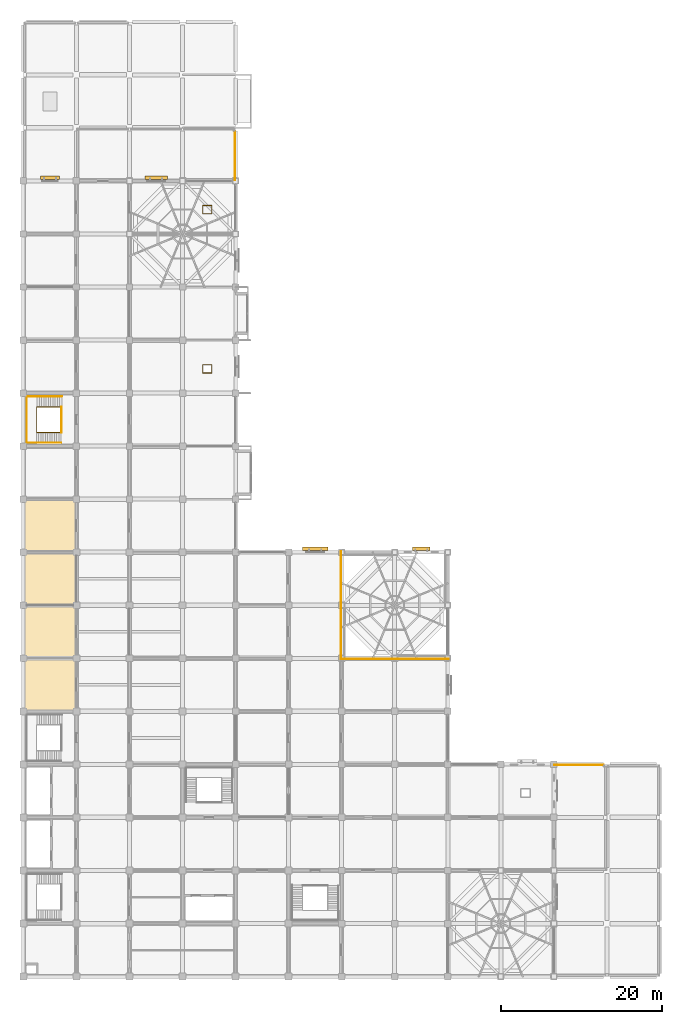
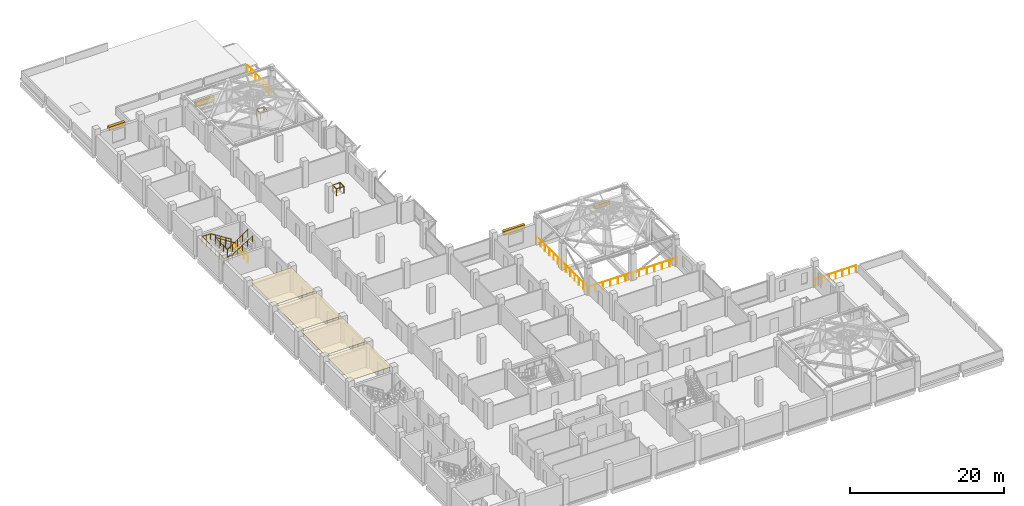
# One storey, part 25 of 25: 11 railings, 4 coverings, 4 shading devices.
"""IFC4 building model written with IfcOpenShell, lengths in metres."""

import ifcopenshell
import ifcopenshell.guid

model = None  # the IFC model being written
_history = None  # IfcOwnerHistory: only IFC2X3 demands one
_inside = {}  # id of a spatial element -> (the spatial element, [elements in it])
_under = {}  # id of a project, library or spatial element -> (it, [spatial elements below it])
_declared = {}  # id of a project -> (the project, [libraries it declares])
_typed = {}  # id of a type object -> (the type object, [elements of that type])
_made_of = {}  # id of a material, layer set ... -> (it, [elements and type objects made of it])


def new_model(schema):
    """Start an empty IFC model of exactly this schema.

    Asked for "IFC4X3", IfcOpenShell would pick the latest addendum, in which some entities
    have other attributes; the version numbers below select the first issue.
    IFC2X3 requires an IfcOwnerHistory on every rooted entity: one is made here for all.
    """
    global model, _history
    if schema == "IFC4X3":
        model = ifcopenshell.file(schema_version=(4, 3, 0, 0))
    else:
        model = ifcopenshell.file(schema=schema)
    _inside.clear()
    _under.clear()
    _declared.clear()
    _typed.clear()
    _made_of.clear()
    _history = None
    if model.schema == "IFC2X3":
        org = make("IfcOrganization", Name="unknown")
        user = make(
            "IfcPersonAndOrganization",
            ThePerson=make("IfcPerson", FamilyName="unknown"),
            TheOrganization=org,
        )
        app = make(
            "IfcApplication",
            ApplicationDeveloper=org,
            Version="unknown",
            ApplicationFullName="unknown",
            ApplicationIdentifier="unknown",
        )
        _history = make(
            "IfcOwnerHistory",
            OwningUser=user,
            OwningApplication=app,
            ChangeAction="ADDED",
            CreationDate=0,
        )
    return model


def make(cls, **values):
    """One entity of the class cls with the attributes given. An attribute that is None is left unset."""
    return model.create_entity(
        cls, **{name: value for name, value in values.items() if value is not None}
    )


def rooted(cls, **values):
    """An entity with a GlobalId (a new one), such as an element, a storey or a relation."""
    return make(cls, GlobalId=ifcopenshell.guid.new(), OwnerHistory=_history, **values)


def si_unit(unit_type, name, prefix=None):
    """IfcSIUnit, for example si_unit("LENGTHUNIT", "METRE", prefix="MILLI")."""
    return make("IfcSIUnit", UnitType=unit_type, Prefix=prefix, Name=name)


def assignment(units):
    """IfcUnitAssignment: the units of a project."""
    return None if units is None else make("IfcUnitAssignment", Units=units)


def point(xyz):
    """IfcCartesianPoint."""
    return None if xyz is None else make("IfcCartesianPoint", Coordinates=xyz)


def direction(xyz):
    """IfcDirection."""
    return None if xyz is None else make("IfcDirection", DirectionRatios=xyz)


def frame(location, z_axis=None, x_axis=None):
    """IfcAxis2Placement3D, a coordinate frame: its origin and axes. An axis left out is left unset."""
    return make(
        "IfcAxis2Placement3D",
        Location=point(location),
        Axis=direction(z_axis),
        RefDirection=direction(x_axis),
    )


def frame_2d(location, x_axis=None):
    """IfcAxis2Placement2D, a coordinate frame in the plane: its origin and x axis."""
    return make(
        "IfcAxis2Placement2D", Location=point(location), RefDirection=direction(x_axis)
    )


def origin():
    """The frame at (0, 0, 0) with its axes left unset."""
    return frame((0.0, 0.0, 0.0))


def origin_2d():
    """The frame at (0, 0) in the plane with its x axis left unset."""
    return frame_2d((0.0, 0.0))


def place(relative_to, where):
    """IfcLocalPlacement: puts the frame where relative to a parent placement (None: the world)."""
    return make(
        "IfcLocalPlacement", PlacementRelTo=relative_to, RelativePlacement=where
    )


def context(
    kind, dimensions, precision=None, world=None, true_north=None, identifier=None
):
    """IfcGeometricRepresentationContext, for example the 3D "Model" context."""
    return make(
        "IfcGeometricRepresentationContext",
        ContextIdentifier=identifier,
        ContextType=kind,
        CoordinateSpaceDimension=dimensions,
        Precision=precision,
        WorldCoordinateSystem=world,
        TrueNorth=true_north,
    )


def subcontext(parent, identifier, kind, view, scale=None):
    """IfcGeometricRepresentationSubContext, for example "Body" below "Model"."""
    return make(
        "IfcGeometricRepresentationSubContext",
        ContextIdentifier=identifier,
        ContextType=kind,
        ParentContext=parent,
        TargetScale=scale,
        TargetView=view,
    )


def project(units=None, contexts=None):
    """IfcProject with its units and contexts."""
    return rooted(
        "IfcProject",
        Name="project",
        RepresentationContexts=contexts,
        UnitsInContext=assignment(units),
    )


def spatial(cls, under=None, at=None, **own):
    """A site, building, storey or space (cls), placed at a placement, below another one or the project."""
    s = rooted(cls, ObjectPlacement=at, **own)
    if under is not None:
        _under.setdefault(under.id(), (under, []))[1].append(s)
    return s


def polyline(points):
    """IfcPolyline through the points."""
    return make("IfcPolyline", Points=[point(p) for p in points])


def profile(cls, at=None, kind="AREA", **sizes):
    """A parametric profile (cls). Its sizes go by their IFC names, for example OverallWidth=200.0."""
    return make(cls, ProfileType=kind, Position=at, **sizes)


def rectangle(**sizes):
    """IfcRectangleProfileDef."""
    return profile("IfcRectangleProfileDef", **sizes)


def circle(**sizes):
    """IfcCircleProfileDef."""
    return profile("IfcCircleProfileDef", **sizes)


def outline(outer, holes=None, kind="AREA"):
    """IfcArbitraryClosedProfileDef: a profile drawn as a closed curve; with holes, ...WithVoids."""
    if holes is None:
        return make("IfcArbitraryClosedProfileDef", ProfileType=kind, OuterCurve=outer)
    return make(
        "IfcArbitraryProfileDefWithVoids",
        ProfileType=kind,
        OuterCurve=outer,
        InnerCurves=holes,
    )


def extrude(swept, where, along, depth):
    """IfcExtrudedAreaSolid: the profile swept, set in the frame where, extruded along a direction by depth."""
    return make(
        "IfcExtrudedAreaSolid",
        SweptArea=swept,
        Position=where,
        ExtrudedDirection=direction(along),
        Depth=depth,
    )


def shape(context_of_items, identifier, shape_type, items):
    """IfcShapeRepresentation: the items that make up one representation, for example the "Body"."""
    return make(
        "IfcShapeRepresentation",
        ContextOfItems=context_of_items,
        RepresentationIdentifier=identifier,
        RepresentationType=shape_type,
        Items=items,
    )


def material(Name=None, Category=None):
    """IfcMaterial."""
    return make("IfcMaterial", Name=Name, Category=Category)


def layer(
    of_material, thickness, ventilated=None, Name=None, Category=None, Priority=None
):
    """IfcMaterialLayer: one layer of a wall or slab, of a material (None: an air gap)."""
    return make(
        "IfcMaterialLayer",
        Material=of_material,
        LayerThickness=thickness,
        IsVentilated=ventilated,
        Name=Name,
        Category=Category,
        Priority=Priority,
    )


def layer_set(layers, Name=None):
    """IfcMaterialLayerSet."""
    return make("IfcMaterialLayerSet", MaterialLayers=layers, LayerSetName=Name)


def made_of(thing, what):
    """Note that an element or type object is made of a material, layer set ...; save() writes the relation."""
    if what is not None:
        _made_of.setdefault(what.id(), (what, []))[1].append(thing)
    return thing


def type_object(cls, material=None, **own):
    """A type object (cls), such as IfcWallType, which elements share."""
    return made_of(rooted(cls, **own), material)


def element(
    cls,
    number,
    at=None,
    inside=None,
    cuts=None,
    type_object=None,
    material=None,
    context=None,
    identifier="Body",
    shape_type=None,
    held_by="IfcProductDefinitionShape",
    body=None,
    shapes=None,
    **own,
):
    """One element of the class cls, such as IfcWall. Its Tag is "e" and its number.

    at: its placement. inside: the storey or other place that contains it. cuts: it is an
    opening in that element (IfcRelVoidsElement). A single representation is given by context,
    identifier, shape_type and body (its items); several are given by shapes. held_by: the class
    of the entity that holds the representations. save() writes the other relations.
    """
    e = rooted(cls, Tag="e%d" % number, ObjectPlacement=at, **own)
    if body is not None:
        shapes = [shape(context, identifier, shape_type, body)]
    if shapes is not None:
        e.Representation = make(held_by, Representations=shapes)
    if inside is not None:
        _inside.setdefault(inside.id(), (inside, []))[1].append(e)
    if cuts is not None:
        rooted(
            "IfcRelVoidsElement", RelatingBuildingElement=cuts, RelatedOpeningElement=e
        )
    if type_object is not None:
        _typed.setdefault(type_object.id(), (type_object, []))[1].append(e)
    return made_of(e, material)


def aggregate(whole, parts):
    """IfcRelAggregates: a whole, such as a stair, and the parts it consists of."""
    return rooted("IfcRelAggregates", RelatingObject=whole, RelatedObjects=parts)


def save(model, path):
    """Write the relations noted so far, then the file.

    IfcRelAggregates (storeys below a building ...), IfcRelContainedInSpatialStructure (elements
    in a storey), IfcRelDefinesByType, IfcRelAssociatesMaterial and IfcRelDeclares: one each for
    every whole, place, type object, material and project.
    """
    for whole, parts in _under.values():
        aggregate(whole, parts)
    for where, things in _inside.values():
        rooted(
            "IfcRelContainedInSpatialStructure",
            RelatedElements=things,
            RelatingStructure=where,
        )
    for kind, things in _typed.values():
        rooted("IfcRelDefinesByType", RelatedObjects=things, RelatingType=kind)
    for what, things in _made_of.values():
        rooted("IfcRelAssociatesMaterial", RelatedObjects=things, RelatingMaterial=what)
    for by, libraries in _declared.values():
        rooted("IfcRelDeclares", RelatingContext=by, RelatedDefinitions=libraries)
    model.write(path)


model = new_model("IFC4")

# Units and contexts
model_context = context("Model", 3, precision=1e-05, world=origin(), true_north=direction((0.0, 1.0)))
body_context = subcontext(model_context, "Body", "Model", "MODEL_VIEW")
ifc_project = project(units=[si_unit("LENGTHUNIT", "METRE"), si_unit("AREAUNIT", "SQUARE_METRE"), si_unit("VOLUMEUNIT", "CUBIC_METRE"), si_unit("PLANEANGLEUNIT", "RADIAN"), si_unit("MASSUNIT", "GRAM", prefix="KILO")], contexts=[model_context])

# Site, building, storey
site_placement = place(None, origin())
site = spatial("IfcSite", under=ifc_project, at=site_placement, CompositionType="ELEMENT")
building_placement = place(site_placement, origin())
building = spatial("IfcBuilding", under=site, at=building_placement, Name="Rusizi Kubbe Research Institute", CompositionType="ELEMENT")
storey_placement = place(building_placement, frame((0.0, 0.0, 14.39990234375)))
storey = spatial("IfcBuildingStorey", under=building, at=storey_placement, Name="L03", CompositionType="ELEMENT", Elevation=14.39990234375)

# Coverings
ifc_material_1 = material(Name="Flush Cleanroom Aluminium HEPA Ceiling Grid", Category="aluminium")
ifc_layer = layer(ifc_material_1, 0.044921875)
ifc_layer_set = layer_set([ifc_layer], Name="Flush Cleanroom Aluminium HEPA Ceiling Grid")
covering_type = type_object("IfcCoveringType", Name="CL-HEPA", PredefinedType="CEILING", material=ifc_layer_set)
covering_1_placement = place(storey_placement, frame((0.0, 0.0, 3.815185546875)))
element("IfcCovering", 1, at=covering_1_placement, inside=storey, type_object=covering_type, Name="Clean Room Gowning Airlock Ceiling L03-ALK-05", PredefinedType="CEILING", context=body_context, shape_type="SweptSolid", body=[
    extrude(outline(polyline([(0.18994140625, 33.18994140625), (6.409912109375, 33.18994140625), (6.409912109375, 39.409912109375), (0.18994140625, 39.409912109375), (0.18994140625, 33.18994140625)])), origin(), (0.0, 0.0, 1.0), 0.044921875),
])
covering_2_placement = place(storey_placement, frame((0.0, 0.0, 3.815185546875)))
element("IfcCovering", 2, at=covering_2_placement, inside=storey, type_object=covering_type, Name="ISO-6 Clean Room Suite Ceiling L03-CR-06", PredefinedType="CEILING", context=body_context, shape_type="SweptSolid", body=[
    extrude(outline(polyline([(0.18994140625, 39.7900390625), (6.409912109375, 39.7900390625), (6.409912109375, 46.010009765625), (0.18994140625, 46.010009765625), (0.18994140625, 39.7900390625)])), origin(), (0.0, 0.0, 1.0), 0.044921875),
])
covering_3_placement = place(storey_placement, frame((0.0, 0.0, 3.815185546875)))
element("IfcCovering", 3, at=covering_3_placement, inside=storey, type_object=covering_type, Name="Clean Room Gowning Airlock Ceiling L03-ALK-07", PredefinedType="CEILING", context=body_context, shape_type="SweptSolid", body=[
    extrude(outline(polyline([(0.18994140625, 46.389892578125), (6.409912109375, 46.389892578125), (6.409912109375, 52.610107421875), (0.18994140625, 52.610107421875), (0.18994140625, 46.389892578125)])), origin(), (0.0, 0.0, 1.0), 0.044921875),
])
covering_4_placement = place(storey_placement, frame((0.0, 0.0, 3.815185546875)))
element("IfcCovering", 4, at=covering_4_placement, inside=storey, type_object=covering_type, Name="ISO-6 Clean Room Suite Ceiling L03-CR-08", PredefinedType="CEILING", context=body_context, shape_type="SweptSolid", body=[
    extrude(outline(polyline([(0.18994140625, 52.989990234375), (6.409912109375, 52.989990234375), (6.409912109375, 59.2099609375), (0.18994140625, 59.2099609375), (0.18994140625, 52.989990234375)])), origin(), (0.0, 0.0, 1.0), 0.044921875),
])

# Railings
ifc_material_2 = material(Name="Architectural Painted Steel Balustrade", Category="steel")
railing_type_1 = type_object("IfcRailingType", Name="GR-EXT", PredefinedType="GUARDRAIL", material=ifc_material_2)
railing_1_placement = place(storey_placement, frame((26.320068359375, 99.080078125, 0.0)))
element("IfcRailing", 5, at=railing_1_placement, inside=storey, type_object=railing_type_1, Name="Roof Terrace Guard L03-01", PredefinedType="GUARDRAIL", context=body_context, shape_type="SweptSolid", body=[
    extrude(circle(Radius=0.02392578125, at=origin_2d()), frame((0.0, 0.0, 1.09619140625), z_axis=(0.0, 1.0, 0.0), x_axis=(-1.0, 0.0, 0.0)), (0.0, 0.0, 1.0), 6.099853515625),
    extrude(circle(Radius=0.02099609375, at=origin_2d()), origin(), (0.0, 0.0, 1.0), 1.072021484375),
    extrude(circle(Radius=0.02099609375, at=origin_2d()), frame((0.0, 1.0166015625, 0.0)), (0.0, 0.0, 1.0), 1.072021484375),
    extrude(circle(Radius=0.02099609375, at=origin_2d()), frame((0.0, 2.033203125, 0.0)), (0.0, 0.0, 1.0), 1.072021484375),
    extrude(circle(Radius=0.02099609375, at=origin_2d()), frame((0.0, 3.0498046875, 0.0)), (0.0, 0.0, 1.0), 1.072021484375),
    extrude(circle(Radius=0.02099609375, at=origin_2d()), frame((0.0, 4.066650390625, 0.0)), (0.0, 0.0, 1.0), 1.072021484375),
    extrude(circle(Radius=0.02099609375, at=origin_2d()), frame((0.0, 5.083251953125, 0.0)), (0.0, 0.0, 1.0), 1.072021484375),
    extrude(circle(Radius=0.02099609375, at=origin_2d()), frame((0.0, 6.099853515625, 0.0)), (0.0, 0.0, 1.0), 1.072021484375),
])
railing_2_placement = place(storey_placement, frame((66.080078125, 26.320068359375, 0.0)))
element("IfcRailing", 6, at=railing_2_placement, inside=storey, type_object=railing_type_1, Name="Roof Terrace Guard L03-02", PredefinedType="GUARDRAIL", context=body_context, shape_type="SweptSolid", body=[
    extrude(circle(Radius=0.02392578125, at=origin_2d()), frame((0.0, 0.0, 1.09619140625), z_axis=(1.0, 0.0, 0.0), x_axis=(0.0, 1.0, 0.0)), (0.0, 0.0, 1.0), 6.099853515625),
    extrude(circle(Radius=0.02099609375, at=origin_2d()), origin(), (0.0, 0.0, 1.0), 1.072021484375),
    extrude(circle(Radius=0.02099609375, at=origin_2d()), frame((1.0166015625, 0.0, 0.0)), (0.0, 0.0, 1.0), 1.072021484375),
    extrude(circle(Radius=0.02099609375, at=origin_2d()), frame((2.033203125, 0.0, 0.0)), (0.0, 0.0, 1.0), 1.072021484375),
    extrude(circle(Radius=0.02099609375, at=origin_2d()), frame((3.0498046875, 0.0, 0.0)), (0.0, 0.0, 1.0), 1.072021484375),
    extrude(circle(Radius=0.02099609375, at=origin_2d()), frame((4.066650390625, 0.0, 0.0)), (0.0, 0.0, 1.0), 1.072021484375),
    extrude(circle(Radius=0.02099609375, at=origin_2d()), frame((5.083251953125, 0.0, 0.0)), (0.0, 0.0, 1.0), 1.072021484375),
    extrude(circle(Radius=0.02099609375, at=origin_2d()), frame((6.099853515625, 0.0, 0.0)), (0.0, 0.0, 1.0), 1.072021484375),
])
ifc_material_3 = material(Name="Painted Steel Stair Guard", Category="steel")
railing_type_2 = type_object("IfcRailingType", Name="GR-STAIR", PredefinedType="GUARDRAIL", material=ifc_material_3)
railing_3_placement = place(storey_placement, frame((4.780029296875, 70.889892578125, 0.087646484375)))
element("IfcRailing", 7, at=railing_3_placement, inside=storey, type_object=railing_type_2, Name="Stair Inner Well Guard ST5 L03", PredefinedType="GUARDRAIL", context=body_context, shape_type="SweptSolid", body=[
    extrude(circle(Radius=0.02392578125, at=origin_2d()), frame((0.0, 0.0, 1.09619140625), z_axis=(-0.840361383606, 0.0, 0.542026516828), x_axis=(0.0, -1.0, 0.0)), (0.0, 0.0, 1.0), 3.712890625),
    extrude(circle(Radius=0.02392578125, at=origin_2d()), frame((-3.1201171875, 0.0, 3.1083984375), z_axis=(0.0, -1.0, 0.0), x_axis=(1.0, 0.0, 0.0)), (0.0, 0.0, 1.0), 3.179931640625),
    extrude(circle(Radius=0.02392578125, at=origin_2d()), frame((-3.1201171875, -3.179931640625, 3.1083984375), z_axis=(0.82276741766, 0.0, 0.568378198419), x_axis=(0.0, 1.0, 0.0)), (0.0, 0.0, 1.0), 3.69482421875),
    extrude(circle(Radius=0.02099609375, at=origin_2d()), origin(), (0.0, 0.0, 1.0), 1.072021484375),
    extrude(circle(Radius=0.02099609375, at=origin_2d()), frame((-0.780029296875, 0.0, 0.503173828125)), (0.0, 0.0, 1.0), 1.072021484375),
    extrude(circle(Radius=0.02099609375, at=origin_2d()), frame((-1.56005859375, 0.0, 1.00634765625)), (0.0, 0.0, 1.0), 1.072021484375),
    extrude(circle(Radius=0.02099609375, at=origin_2d()), frame((-2.340087890625, 0.0, 1.50927734375)), (0.0, 0.0, 1.0), 1.072021484375),
    extrude(circle(Radius=0.02099609375, at=origin_2d()), frame((-3.1201171875, 0.0, 2.012451171875)), (0.0, 0.0, 1.0), 1.072021484375),
    extrude(circle(Radius=0.02099609375, at=origin_2d()), frame((-3.1201171875, -1.06005859375, 2.012451171875)), (0.0, 0.0, 1.0), 1.072021484375),
    extrude(circle(Radius=0.02099609375, at=origin_2d()), frame((-3.1201171875, -2.119873046875, 2.012451171875)), (0.0, 0.0, 1.0), 1.072021484375),
    extrude(circle(Radius=0.02099609375, at=origin_2d()), frame((-3.1201171875, -3.179931640625, 2.012451171875)), (0.0, 0.0, 1.0), 1.072021484375),
    extrude(circle(Radius=0.02099609375, at=origin_2d()), frame((-2.360107421875, -3.179931640625, 2.53759765625)), (0.0, 0.0, 1.0), 1.072021484375),
    extrude(circle(Radius=0.02099609375, at=origin_2d()), frame((-1.60009765625, -3.179931640625, 3.0625)), (0.0, 0.0, 1.0), 1.072021484375),
    extrude(circle(Radius=0.02099609375, at=origin_2d()), frame((-0.840087890625, -3.179931640625, 3.58740234375)), (0.0, 0.0, 1.0), 1.072021484375),
    extrude(circle(Radius=0.02099609375, at=origin_2d()), frame((-0.080078125, -3.179931640625, 4.112548828125)), (0.0, 0.0, 1.0), 1.072021484375),
])
railing_4_placement = place(storey_placement, frame((4.75, 70.889892578125, 0.0)))
element("IfcRailing", 8, at=railing_4_placement, inside=storey, type_object=railing_type_2, Name="Stair Floor Edge Guard ST5 L03", PredefinedType="GUARDRAIL", context=body_context, shape_type="SweptSolid", body=[
    extrude(circle(Radius=0.02392578125, at=origin_2d()), frame((0.0, 0.0, 1.09619140625), z_axis=(0.0, -1.0, 0.0), x_axis=(1.0, 0.0, 0.0)), (0.0, 0.0, 1.0), 3.179931640625),
    extrude(circle(Radius=0.02099609375, at=origin_2d()), origin(), (0.0, 0.0, 1.0), 1.072021484375),
    extrude(circle(Radius=0.02099609375, at=origin_2d()), frame((0.0, -1.06005859375, 0.0)), (0.0, 0.0, 1.0), 1.072021484375),
    extrude(circle(Radius=0.02099609375, at=origin_2d()), frame((0.0, -2.119873046875, 0.0)), (0.0, 0.0, 1.0), 1.072021484375),
    extrude(circle(Radius=0.02099609375, at=origin_2d()), frame((0.0, -3.179931640625, 0.0)), (0.0, 0.0, 1.0), 1.072021484375),
])
railing_5_placement = place(storey_placement, frame((22.320068359375, 75.1201171875, 0.0)))
element("IfcRailing", 9, at=railing_5_placement, inside=storey, type_object=railing_type_2, Name="Service Riser Guard L03 NORTHA", PredefinedType="GUARDRAIL", context=body_context, shape_type="SweptSolid", body=[
    extrude(circle(Radius=0.02392578125, at=origin_2d()), frame((0.0, 0.0, 1.09619140625), z_axis=(1.0, 0.0, 0.0), x_axis=(0.0, 1.0, 0.0)), (0.0, 0.0, 1.0), 1.10986328125),
    extrude(circle(Radius=0.02392578125, at=origin_2d()), frame((1.10986328125, 0.0, 1.09619140625), z_axis=(0.0, 1.0, 0.0), x_axis=(-1.0, 0.0, 0.0)), (0.0, 0.0, 1.0), 1.009765625),
    extrude(circle(Radius=0.02392578125, at=origin_2d()), frame((1.10986328125, 1.009765625, 1.09619140625), z_axis=(-1.0, 0.0, 0.0), x_axis=(0.0, -1.0, 0.0)), (0.0, 0.0, 1.0), 1.10986328125),
    extrude(circle(Radius=0.02392578125, at=origin_2d()), frame((0.0, 1.009765625, 1.09619140625), z_axis=(0.0, -1.0, 0.0), x_axis=(1.0, 0.0, 0.0)), (0.0, 0.0, 1.0), 1.009765625),
    extrude(circle(Radius=0.02099609375, at=origin_2d()), origin(), (0.0, 0.0, 1.0), 1.072021484375),
    extrude(circle(Radius=0.02099609375, at=origin_2d()), frame((1.10986328125, 0.0, 0.0)), (0.0, 0.0, 1.0), 1.072021484375),
    extrude(circle(Radius=0.02099609375, at=origin_2d()), frame((1.10986328125, 1.009765625, 0.0)), (0.0, 0.0, 1.0), 1.072021484375),
    extrude(circle(Radius=0.02099609375, at=origin_2d()), frame((0.0, 1.009765625, 0.0)), (0.0, 0.0, 1.0), 1.072021484375),
])
railing_6_placement = place(storey_placement, frame((22.320068359375, 94.919921875, 0.0)))
element("IfcRailing", 10, at=railing_6_placement, inside=storey, type_object=railing_type_2, Name="Service Riser Guard L03 NORTHB", PredefinedType="GUARDRAIL", context=body_context, shape_type="SweptSolid", body=[
    extrude(circle(Radius=0.02392578125, at=origin_2d()), frame((0.0, 0.0, 1.09619140625), z_axis=(1.0, 0.0, 0.0), x_axis=(0.0, 1.0, 0.0)), (0.0, 0.0, 1.0), 1.10986328125),
    extrude(circle(Radius=0.02392578125, at=origin_2d()), frame((1.10986328125, 0.0, 1.09619140625), z_axis=(0.0, 1.0, 0.0), x_axis=(-1.0, 0.0, 0.0)), (0.0, 0.0, 1.0), 1.010009765625),
    extrude(circle(Radius=0.02392578125, at=origin_2d()), frame((1.10986328125, 1.010009765625, 1.09619140625), z_axis=(-1.0, 0.0, 0.0), x_axis=(0.0, -1.0, 0.0)), (0.0, 0.0, 1.0), 1.10986328125),
    extrude(circle(Radius=0.02392578125, at=origin_2d()), frame((0.0, 1.010009765625, 1.09619140625), z_axis=(0.0, -1.0, 0.0), x_axis=(1.0, 0.0, 0.0)), (0.0, 0.0, 1.0), 1.010009765625),
    extrude(circle(Radius=0.02099609375, at=origin_2d()), origin(), (0.0, 0.0, 1.0), 1.072021484375),
    extrude(circle(Radius=0.02099609375, at=origin_2d()), frame((1.10986328125, 0.0, 0.0)), (0.0, 0.0, 1.0), 1.072021484375),
    extrude(circle(Radius=0.02099609375, at=origin_2d()), frame((1.10986328125, 1.010009765625, 0.0)), (0.0, 0.0, 1.0), 1.072021484375),
    extrude(circle(Radius=0.02099609375, at=origin_2d()), frame((0.0, 1.010009765625, 0.0)), (0.0, 0.0, 1.0), 1.072021484375),
])
ifc_material_4 = material(Name="Tempered Glass and Bronze Atrium Balustrade", Category="steel")
railing_type_3 = type_object("IfcRailingType", Name="GR-VOID", PredefinedType="BALUSTRADE", material=ifc_material_4)
railing_7_placement = place(storey_placement, frame((39.5, 39.5, 0.0)))
element("IfcRailing", 11, at=railing_7_placement, inside=storey, type_object=railing_type_3, Name="Atrium Void Balustrade L03-01", PredefinedType="BALUSTRADE", context=body_context, shape_type="SweptSolid", body=[
    extrude(circle(Radius=0.02392578125, at=origin_2d()), frame((0.0, 0.0, 1.09619140625), z_axis=(1.0, 0.0, 0.0), x_axis=(0.0, 1.0, 0.0)), (0.0, 0.0, 1.0), 6.800048828125),
    extrude(circle(Radius=0.02099609375, at=origin_2d()), origin(), (0.0, 0.0, 1.0), 1.072021484375),
    extrude(circle(Radius=0.02099609375, at=origin_2d()), frame((1.13330078125, 0.0, 0.0)), (0.0, 0.0, 1.0), 1.072021484375),
    extrude(circle(Radius=0.02099609375, at=origin_2d()), frame((2.2666015625, 0.0, 0.0)), (0.0, 0.0, 1.0), 1.072021484375),
    extrude(circle(Radius=0.02099609375, at=origin_2d()), frame((3.39990234375, 0.0, 0.0)), (0.0, 0.0, 1.0), 1.072021484375),
    extrude(circle(Radius=0.02099609375, at=origin_2d()), frame((4.533447265625, 0.0, 0.0)), (0.0, 0.0, 1.0), 1.072021484375),
    extrude(circle(Radius=0.02099609375, at=origin_2d()), frame((5.666748046875, 0.0, 0.0)), (0.0, 0.0, 1.0), 1.072021484375),
    extrude(circle(Radius=0.02099609375, at=origin_2d()), frame((6.800048828125, 0.0, 0.0)), (0.0, 0.0, 1.0), 1.072021484375),
])
railing_8_placement = place(storey_placement, frame((39.5, 39.5, 0.0)))
element("IfcRailing", 12, at=railing_8_placement, inside=storey, type_object=railing_type_3, Name="Atrium Void Balustrade L03-02", PredefinedType="BALUSTRADE", context=body_context, shape_type="SweptSolid", body=[
    extrude(circle(Radius=0.02392578125, at=origin_2d()), frame((0.0, 0.0, 1.09619140625), z_axis=(0.0, 1.0, 0.0), x_axis=(-1.0, 0.0, 0.0)), (0.0, 0.0, 1.0), 6.800048828125),
    extrude(circle(Radius=0.02099609375, at=origin_2d()), origin(), (0.0, 0.0, 1.0), 1.072021484375),
    extrude(circle(Radius=0.02099609375, at=origin_2d()), frame((0.0, 1.13330078125, 0.0)), (0.0, 0.0, 1.0), 1.072021484375),
    extrude(circle(Radius=0.02099609375, at=origin_2d()), frame((0.0, 2.2666015625, 0.0)), (0.0, 0.0, 1.0), 1.072021484375),
    extrude(circle(Radius=0.02099609375, at=origin_2d()), frame((0.0, 3.39990234375, 0.0)), (0.0, 0.0, 1.0), 1.072021484375),
    extrude(circle(Radius=0.02099609375, at=origin_2d()), frame((0.0, 4.533447265625, 0.0)), (0.0, 0.0, 1.0), 1.072021484375),
    extrude(circle(Radius=0.02099609375, at=origin_2d()), frame((0.0, 5.666748046875, 0.0)), (0.0, 0.0, 1.0), 1.072021484375),
    extrude(circle(Radius=0.02099609375, at=origin_2d()), frame((0.0, 6.800048828125, 0.0)), (0.0, 0.0, 1.0), 1.072021484375),
])
railing_9_placement = place(storey_placement, frame((39.5, 46.10009765625, 0.0)))
element("IfcRailing", 13, at=railing_9_placement, inside=storey, type_object=railing_type_3, Name="Atrium Void Balustrade L03-03", PredefinedType="BALUSTRADE", context=body_context, shape_type="SweptSolid", body=[
    extrude(circle(Radius=0.02392578125, at=origin_2d()), frame((0.0, 0.0, 1.09619140625), z_axis=(0.0, 1.0, 0.0), x_axis=(-1.0, 0.0, 0.0)), (0.0, 0.0, 1.0), 6.7998046875),
    extrude(circle(Radius=0.02099609375, at=origin_2d()), origin(), (0.0, 0.0, 1.0), 1.072021484375),
    extrude(circle(Radius=0.02099609375, at=origin_2d()), frame((0.0, 1.13330078125, 0.0)), (0.0, 0.0, 1.0), 1.072021484375),
    extrude(circle(Radius=0.02099609375, at=origin_2d()), frame((0.0, 2.2666015625, 0.0)), (0.0, 0.0, 1.0), 1.072021484375),
    extrude(circle(Radius=0.02099609375, at=origin_2d()), frame((0.0, 3.39990234375, 0.0)), (0.0, 0.0, 1.0), 1.072021484375),
    extrude(circle(Radius=0.02099609375, at=origin_2d()), frame((0.0, 4.533203125, 0.0)), (0.0, 0.0, 1.0), 1.072021484375),
    extrude(circle(Radius=0.02099609375, at=origin_2d()), frame((0.0, 5.66650390625, 0.0)), (0.0, 0.0, 1.0), 1.072021484375),
    extrude(circle(Radius=0.02099609375, at=origin_2d()), frame((0.0, 6.7998046875, 0.0)), (0.0, 0.0, 1.0), 1.072021484375),
])
railing_10_placement = place(storey_placement, frame((46.10009765625, 39.5, 0.0)))
element("IfcRailing", 14, at=railing_10_placement, inside=storey, type_object=railing_type_3, Name="Atrium Void Balustrade L03-04", PredefinedType="BALUSTRADE", context=body_context, shape_type="SweptSolid", body=[
    extrude(circle(Radius=0.02392578125, at=origin_2d()), frame((0.0, 0.0, 1.09619140625), z_axis=(1.0, 0.0, 0.0), x_axis=(0.0, 1.0, 0.0)), (0.0, 0.0, 1.0), 6.7998046875),
    extrude(circle(Radius=0.02099609375, at=origin_2d()), origin(), (0.0, 0.0, 1.0), 1.072021484375),
    extrude(circle(Radius=0.02099609375, at=origin_2d()), frame((1.13330078125, 0.0, 0.0)), (0.0, 0.0, 1.0), 1.072021484375),
    extrude(circle(Radius=0.02099609375, at=origin_2d()), frame((2.2666015625, 0.0, 0.0)), (0.0, 0.0, 1.0), 1.072021484375),
    extrude(circle(Radius=0.02099609375, at=origin_2d()), frame((3.39990234375, 0.0, 0.0)), (0.0, 0.0, 1.0), 1.072021484375),
    extrude(circle(Radius=0.02099609375, at=origin_2d()), frame((4.533203125, 0.0, 0.0)), (0.0, 0.0, 1.0), 1.072021484375),
    extrude(circle(Radius=0.02099609375, at=origin_2d()), frame((5.66650390625, 0.0, 0.0)), (0.0, 0.0, 1.0), 1.072021484375),
    extrude(circle(Radius=0.02099609375, at=origin_2d()), frame((6.7998046875, 0.0, 0.0)), (0.0, 0.0, 1.0), 1.072021484375),
])
ifc_material_5 = material(Name="Brushed Stainless Steel Handrail", Category="steel")
railing_type_4 = type_object("IfcRailingType", Name="HR-STAIR", PredefinedType="HANDRAIL", material=ifc_material_5)
railing_11_placement = place(storey_placement, frame((4.780029296875, 72.179931640625, 0.175048828125)))
element("IfcRailing", 15, at=railing_11_placement, inside=storey, type_object=railing_type_4, Name="Stair Wall Handrail ST5 L03", PredefinedType="HANDRAIL", context=body_context, shape_type="SweptSolid", body=[
    extrude(circle(Radius=0.02392578125, at=origin_2d()), frame((0.0, 0.0, 0.8759765625), z_axis=(-0.847998304005, 0.0, 0.529998940003), x_axis=(0.0, -1.0, 0.0)), (0.0, 0.0, 1.0), 3.632080078125),
    extrude(circle(Radius=0.02392578125, at=origin_2d()), frame((-3.080078125, 0.0, 2.80078125), z_axis=(-1.0, 0.0, 0.0), x_axis=(0.0, -1.0, 0.0)), (0.0, 0.0, 1.0), 1.280029296875),
    extrude(circle(Radius=0.02392578125, at=origin_2d()), frame((-4.360107421875, 0.0, 2.80078125), z_axis=(0.0, -1.0, 0.0), x_axis=(1.0, 0.0, 0.0)), (0.0, 0.0, 1.0), 5.760009765625),
    extrude(circle(Radius=0.02392578125, at=origin_2d()), frame((-4.360107421875, -5.760009765625, 2.80078125), z_axis=(0.989630492691, 0.0, 0.143636652482), x_axis=(0.0, 1.0, 0.0)), (0.0, 0.0, 1.0), 1.21875),
    extrude(circle(Radius=0.02392578125, at=origin_2d()), frame((-3.154052734375, -5.760009765625, 2.97607421875), z_axis=(0.847525270172, 0.0, 0.530755043706), x_axis=(0.0, 1.0, 0.0)), (0.0, 0.0, 1.0), 3.626953125),
    extrude(circle(Radius=0.02099609375, at=origin_2d()), origin(), (0.0, 0.0, 1.0), 0.851806640625),
    extrude(circle(Radius=0.02099609375, at=origin_2d()), frame((-0.77001953125, 0.0, 0.481201171875)), (0.0, 0.0, 1.0), 0.851806640625),
    extrude(circle(Radius=0.02099609375, at=origin_2d()), frame((-1.5400390625, 0.0, 0.96240234375)), (0.0, 0.0, 1.0), 0.851806640625),
    extrude(circle(Radius=0.02099609375, at=origin_2d()), frame((-2.31005859375, 0.0, 1.44384765625)), (0.0, 0.0, 1.0), 0.851806640625),
    extrude(circle(Radius=0.02099609375, at=origin_2d()), frame((-3.080078125, 0.0, 1.925048828125)), (0.0, 0.0, 1.0), 0.851806640625),
    extrude(circle(Radius=0.02099609375, at=origin_2d()), frame((-3.72021484375, 0.0, 1.925048828125)), (0.0, 0.0, 1.0), 0.851806640625),
    extrude(circle(Radius=0.02099609375, at=origin_2d()), frame((-4.360107421875, 0.0, 1.925048828125)), (0.0, 0.0, 1.0), 0.851806640625),
    extrude(circle(Radius=0.02099609375, at=origin_2d()), frame((-4.360107421875, -1.152099609375, 1.925048828125)), (0.0, 0.0, 1.0), 0.851806640625),
    extrude(circle(Radius=0.02099609375, at=origin_2d()), frame((-4.360107421875, -2.303955078125, 1.925048828125)), (0.0, 0.0, 1.0), 0.851806640625),
    extrude(circle(Radius=0.02099609375, at=origin_2d()), frame((-4.360107421875, -3.4560546875, 1.925048828125)), (0.0, 0.0, 1.0), 0.851806640625),
    extrude(circle(Radius=0.02099609375, at=origin_2d()), frame((-4.360107421875, -4.60791015625, 1.925048828125)), (0.0, 0.0, 1.0), 0.851806640625),
    extrude(circle(Radius=0.02099609375, at=origin_2d()), frame((-4.360107421875, -5.760009765625, 1.925048828125)), (0.0, 0.0, 1.0), 0.851806640625),
    extrude(circle(Radius=0.02099609375, at=origin_2d()), frame((-3.757080078125, -5.760009765625, 2.0126953125)), (0.0, 0.0, 1.0), 0.851806640625),
    extrude(circle(Radius=0.02099609375, at=origin_2d()), frame((-3.154052734375, -5.760009765625, 2.10009765625)), (0.0, 0.0, 1.0), 0.851806640625),
    extrude(circle(Radius=0.02099609375, at=origin_2d()), frame((-2.385498046875, -5.760009765625, 2.581298828125)), (0.0, 0.0, 1.0), 0.851806640625),
    extrude(circle(Radius=0.02099609375, at=origin_2d()), frame((-1.6171875, -5.760009765625, 3.0625)), (0.0, 0.0, 1.0), 0.851806640625),
    extrude(circle(Radius=0.02099609375, at=origin_2d()), frame((-0.8486328125, -5.760009765625, 3.5439453125)), (0.0, 0.0, 1.0), 0.851806640625),
    extrude(circle(Radius=0.02099609375, at=origin_2d()), frame((-0.080078125, -5.760009765625, 4.025146484375)), (0.0, 0.0, 1.0), 0.851806640625),
])

# Shading devices
ifc_material_6 = material(Name="Extruded Aluminium Solar Louver", Category="aluminium")
shading_device_type_1 = type_object("IfcShadingDeviceType", Name="SD-01", PredefinedType="SHUTTER", material=ifc_material_6)
shading_device_1_placement = place(storey_placement, frame((3.300048828125, 99.41259765625, 2.75), z_axis=(0.0, 0.0, 1.0), x_axis=(1.0, 0.0, 0.0)))
element("IfcShadingDevice", 16, at=shading_device_1_placement, inside=storey, type_object=shading_device_type_1, Name="Solar Shading Louver SD-01-024", PredefinedType="SHUTTER", context=body_context, shape_type="SweptSolid", body=[
    extrude(rectangle(XDim=2.39990234375, YDim=0.419921875, at=origin_2d()), origin(), (0.0, 0.0, 1.0), 0.60009765625),
])
ifc_material_7 = material(Name="Extruded Aluminium Solar Louver", Category="aluminium")
shading_device_type_2 = type_object("IfcShadingDeviceType", Name="SD-02", PredefinedType="SHUTTER", material=ifc_material_7)
shading_device_2_placement = place(storey_placement, frame((16.5, 99.3974609375, 2.0400390625), z_axis=(0.0, 0.0, 1.0), x_axis=(1.0, 0.0, 0.0)))
element("IfcShadingDevice", 17, at=shading_device_2_placement, inside=storey, type_object=shading_device_type_2, Name="Solar Shading Louver SD-02-025", PredefinedType="SHUTTER", context=body_context, shape_type="SweptSolid", body=[
    extrude(rectangle(XDim=2.800048828125, YDim=0.419921875, at=origin_2d()), origin(), (0.0, 0.0, 1.0), 0.699951171875),
])
ifc_material_8 = material(Name="Extruded Aluminium Solar Louver", Category="aluminium")
shading_device_type_3 = type_object("IfcShadingDeviceType", Name="SD-03", PredefinedType="SHUTTER", material=ifc_material_8)
shading_device_3_placement = place(storey_placement, frame((36.300048828125, 53.22998046875, 2.72509765625), z_axis=(0.0, 0.0, 1.0), x_axis=(1.0, 0.0, 0.0)))
element("IfcShadingDevice", 18, at=shading_device_3_placement, inside=storey, type_object=shading_device_type_3, Name="Solar Shading Louver SD-03-026", PredefinedType="SHUTTER", context=body_context, shape_type="SweptSolid", body=[
    extrude(rectangle(XDim=3.199951171875, YDim=0.419921875, at=origin_2d()), origin(), (0.0, 0.0, 1.0), 0.64990234375),
])
ifc_material_9 = material(Name="Extruded Aluminium Solar Louver", Category="aluminium")
shading_device_type_4 = type_object("IfcShadingDeviceType", Name="SD-04", PredefinedType="SHUTTER", material=ifc_material_9)
shading_device_4_placement = place(storey_placement, frame((49.5, 53.21240234375, 2.115234375), z_axis=(0.0, 0.0, 1.0), x_axis=(1.0, 0.0, 0.0)))
element("IfcShadingDevice", 19, at=shading_device_4_placement, inside=storey, type_object=shading_device_type_4, Name="Solar Shading Louver SD-04-027", PredefinedType="SHUTTER", context=body_context, shape_type="SweptSolid", body=[
    extrude(rectangle(XDim=2.199951171875, YDim=0.419921875, at=origin_2d()), origin(), (0.0, 0.0, 1.0), 0.550048828125),
])

save(model, "model.ifc")
